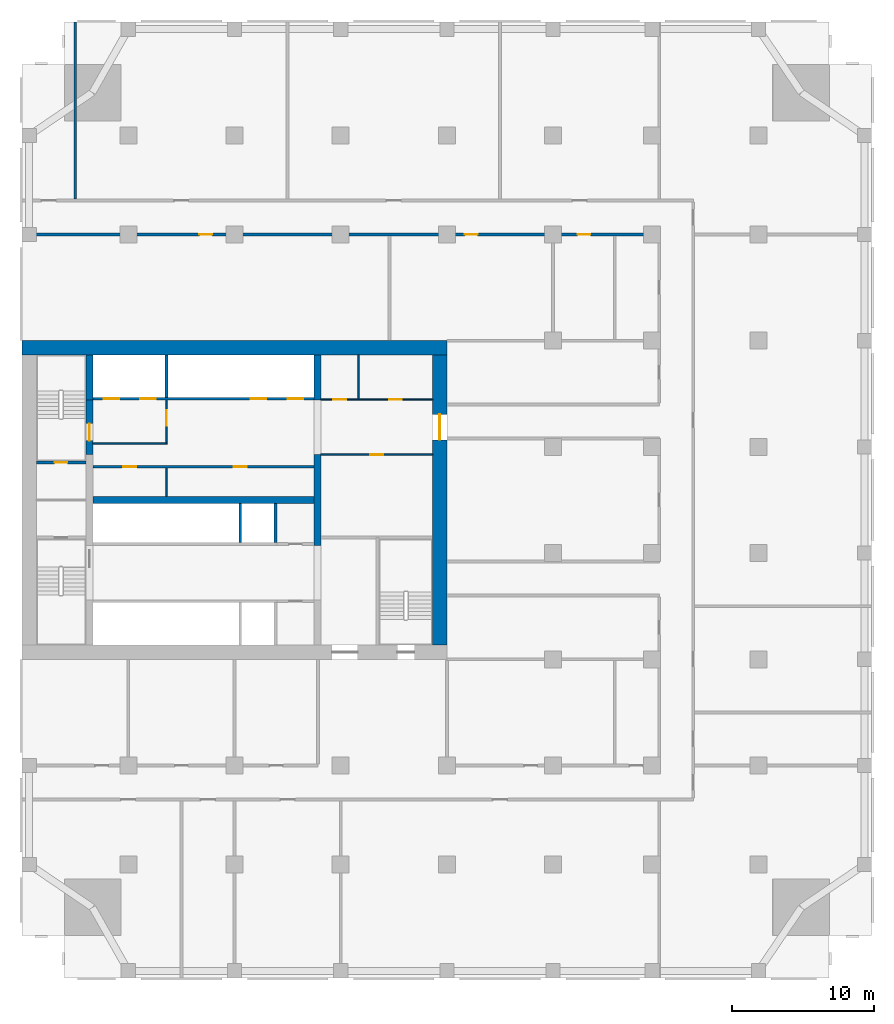
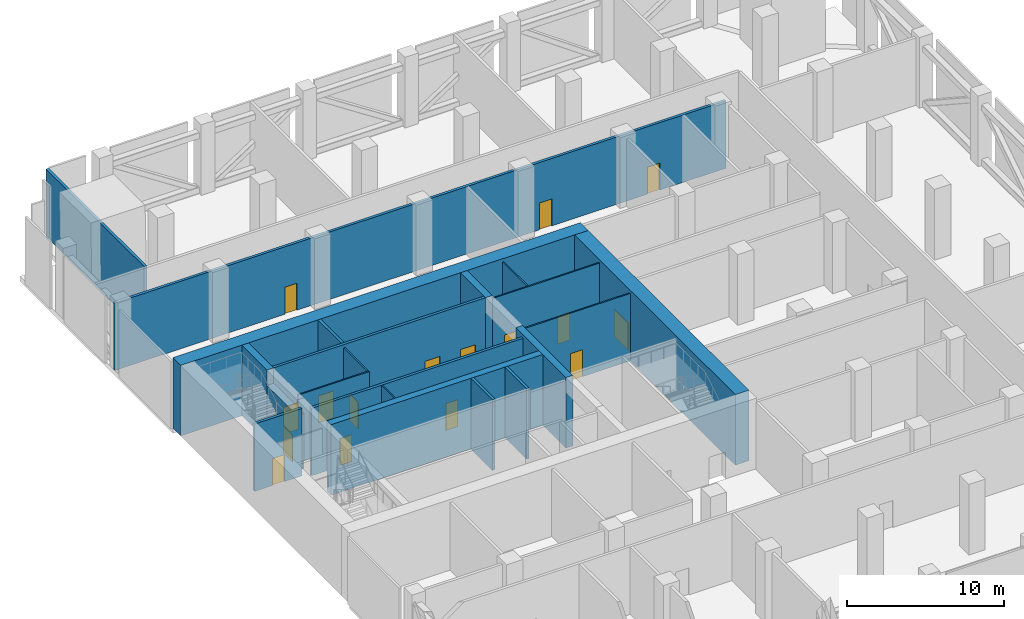
# One storey, part 4 of 10: 21 walls, 16 doors, 16 openings.
"""IFC4 building model written with IfcOpenShell, lengths in metres."""

import ifcopenshell
import ifcopenshell.guid

model = None  # the IFC model being written
_history = None  # IfcOwnerHistory: only IFC2X3 demands one
_inside = {}  # id of a spatial element -> (the spatial element, [elements in it])
_under = {}  # id of a project, library or spatial element -> (it, [spatial elements below it])
_declared = {}  # id of a project -> (the project, [libraries it declares])
_typed = {}  # id of a type object -> (the type object, [elements of that type])
_made_of = {}  # id of a material, layer set ... -> (it, [elements and type objects made of it])


def new_model(schema):
    """Start an empty IFC model of exactly this schema.

    Asked for "IFC4X3", IfcOpenShell would pick the latest addendum, in which some entities
    have other attributes; the version numbers below select the first issue.
    IFC2X3 requires an IfcOwnerHistory on every rooted entity: one is made here for all.
    """
    global model, _history
    if schema == "IFC4X3":
        model = ifcopenshell.file(schema_version=(4, 3, 0, 0))
    else:
        model = ifcopenshell.file(schema=schema)
    _inside.clear()
    _under.clear()
    _declared.clear()
    _typed.clear()
    _made_of.clear()
    _history = None
    if model.schema == "IFC2X3":
        org = make("IfcOrganization", Name="unknown")
        user = make(
            "IfcPersonAndOrganization",
            ThePerson=make("IfcPerson", FamilyName="unknown"),
            TheOrganization=org,
        )
        app = make(
            "IfcApplication",
            ApplicationDeveloper=org,
            Version="unknown",
            ApplicationFullName="unknown",
            ApplicationIdentifier="unknown",
        )
        _history = make(
            "IfcOwnerHistory",
            OwningUser=user,
            OwningApplication=app,
            ChangeAction="ADDED",
            CreationDate=0,
        )
    return model


def make(cls, **values):
    """One entity of the class cls with the attributes given. An attribute that is None is left unset."""
    return model.create_entity(
        cls, **{name: value for name, value in values.items() if value is not None}
    )


def rooted(cls, **values):
    """An entity with a GlobalId (a new one), such as an element, a storey or a relation."""
    return make(cls, GlobalId=ifcopenshell.guid.new(), OwnerHistory=_history, **values)


def si_unit(unit_type, name, prefix=None):
    """IfcSIUnit, for example si_unit("LENGTHUNIT", "METRE", prefix="MILLI")."""
    return make("IfcSIUnit", UnitType=unit_type, Prefix=prefix, Name=name)


def assignment(units):
    """IfcUnitAssignment: the units of a project."""
    return None if units is None else make("IfcUnitAssignment", Units=units)


def point(xyz):
    """IfcCartesianPoint."""
    return None if xyz is None else make("IfcCartesianPoint", Coordinates=xyz)


def direction(xyz):
    """IfcDirection."""
    return None if xyz is None else make("IfcDirection", DirectionRatios=xyz)


def frame(location, z_axis=None, x_axis=None):
    """IfcAxis2Placement3D, a coordinate frame: its origin and axes. An axis left out is left unset."""
    return make(
        "IfcAxis2Placement3D",
        Location=point(location),
        Axis=direction(z_axis),
        RefDirection=direction(x_axis),
    )


def frame_2d(location, x_axis=None):
    """IfcAxis2Placement2D, a coordinate frame in the plane: its origin and x axis."""
    return make(
        "IfcAxis2Placement2D", Location=point(location), RefDirection=direction(x_axis)
    )


def origin():
    """The frame at (0, 0, 0) with its axes left unset."""
    return frame((0.0, 0.0, 0.0))


def place(relative_to, where):
    """IfcLocalPlacement: puts the frame where relative to a parent placement (None: the world)."""
    return make(
        "IfcLocalPlacement", PlacementRelTo=relative_to, RelativePlacement=where
    )


def context(
    kind, dimensions, precision=None, world=None, true_north=None, identifier=None
):
    """IfcGeometricRepresentationContext, for example the 3D "Model" context."""
    return make(
        "IfcGeometricRepresentationContext",
        ContextIdentifier=identifier,
        ContextType=kind,
        CoordinateSpaceDimension=dimensions,
        Precision=precision,
        WorldCoordinateSystem=world,
        TrueNorth=true_north,
    )


def subcontext(parent, identifier, kind, view, scale=None):
    """IfcGeometricRepresentationSubContext, for example "Body" below "Model"."""
    return make(
        "IfcGeometricRepresentationSubContext",
        ContextIdentifier=identifier,
        ContextType=kind,
        ParentContext=parent,
        TargetScale=scale,
        TargetView=view,
    )


def project(units=None, contexts=None):
    """IfcProject with its units and contexts."""
    return rooted(
        "IfcProject",
        Name="project",
        RepresentationContexts=contexts,
        UnitsInContext=assignment(units),
    )


def spatial(cls, under=None, at=None, **own):
    """A site, building, storey or space (cls), placed at a placement, below another one or the project."""
    s = rooted(cls, ObjectPlacement=at, **own)
    if under is not None:
        _under.setdefault(under.id(), (under, []))[1].append(s)
    return s


def profile(cls, at=None, kind="AREA", **sizes):
    """A parametric profile (cls). Its sizes go by their IFC names, for example OverallWidth=200.0."""
    return make(cls, ProfileType=kind, Position=at, **sizes)


def rectangle(**sizes):
    """IfcRectangleProfileDef."""
    return profile("IfcRectangleProfileDef", **sizes)


def extrude(swept, where, along, depth):
    """IfcExtrudedAreaSolid: the profile swept, set in the frame where, extruded along a direction by depth."""
    return make(
        "IfcExtrudedAreaSolid",
        SweptArea=swept,
        Position=where,
        ExtrudedDirection=direction(along),
        Depth=depth,
    )


def shape(context_of_items, identifier, shape_type, items):
    """IfcShapeRepresentation: the items that make up one representation, for example the "Body"."""
    return make(
        "IfcShapeRepresentation",
        ContextOfItems=context_of_items,
        RepresentationIdentifier=identifier,
        RepresentationType=shape_type,
        Items=items,
    )


def material(Name=None, Category=None):
    """IfcMaterial."""
    return make("IfcMaterial", Name=Name, Category=Category)


def layer(
    of_material, thickness, ventilated=None, Name=None, Category=None, Priority=None
):
    """IfcMaterialLayer: one layer of a wall or slab, of a material (None: an air gap)."""
    return make(
        "IfcMaterialLayer",
        Material=of_material,
        LayerThickness=thickness,
        IsVentilated=ventilated,
        Name=Name,
        Category=Category,
        Priority=Priority,
    )


def layer_set(layers, Name=None):
    """IfcMaterialLayerSet."""
    return make("IfcMaterialLayerSet", MaterialLayers=layers, LayerSetName=Name)


def made_of(thing, what):
    """Note that an element or type object is made of a material, layer set ...; save() writes the relation."""
    if what is not None:
        _made_of.setdefault(what.id(), (what, []))[1].append(thing)
    return thing


def type_object(cls, material=None, **own):
    """A type object (cls), such as IfcWallType, which elements share."""
    return made_of(rooted(cls, **own), material)


def element(
    cls,
    number,
    at=None,
    inside=None,
    cuts=None,
    type_object=None,
    material=None,
    context=None,
    identifier="Body",
    shape_type=None,
    held_by="IfcProductDefinitionShape",
    body=None,
    shapes=None,
    **own,
):
    """One element of the class cls, such as IfcWall. Its Tag is "e" and its number.

    at: its placement. inside: the storey or other place that contains it. cuts: it is an
    opening in that element (IfcRelVoidsElement). A single representation is given by context,
    identifier, shape_type and body (its items); several are given by shapes. held_by: the class
    of the entity that holds the representations. save() writes the other relations.
    """
    e = rooted(cls, Tag="e%d" % number, ObjectPlacement=at, **own)
    if body is not None:
        shapes = [shape(context, identifier, shape_type, body)]
    if shapes is not None:
        e.Representation = make(held_by, Representations=shapes)
    if inside is not None:
        _inside.setdefault(inside.id(), (inside, []))[1].append(e)
    if cuts is not None:
        rooted(
            "IfcRelVoidsElement", RelatingBuildingElement=cuts, RelatedOpeningElement=e
        )
    if type_object is not None:
        _typed.setdefault(type_object.id(), (type_object, []))[1].append(e)
    return made_of(e, material)


def fill(opening, filler):
    """IfcRelFillsElement: the door or window that sits in an opening."""
    return rooted(
        "IfcRelFillsElement",
        RelatingOpeningElement=opening,
        RelatedBuildingElement=filler,
    )


def aggregate(whole, parts):
    """IfcRelAggregates: a whole, such as a stair, and the parts it consists of."""
    return rooted("IfcRelAggregates", RelatingObject=whole, RelatedObjects=parts)


def save(model, path):
    """Write the relations noted so far, then the file.

    IfcRelAggregates (storeys below a building ...), IfcRelContainedInSpatialStructure (elements
    in a storey), IfcRelDefinesByType, IfcRelAssociatesMaterial and IfcRelDeclares: one each for
    every whole, place, type object, material and project.
    """
    for whole, parts in _under.values():
        aggregate(whole, parts)
    for where, things in _inside.values():
        rooted(
            "IfcRelContainedInSpatialStructure",
            RelatedElements=things,
            RelatingStructure=where,
        )
    for kind, things in _typed.values():
        rooted("IfcRelDefinesByType", RelatedObjects=things, RelatingType=kind)
    for what, things in _made_of.values():
        rooted("IfcRelAssociatesMaterial", RelatedObjects=things, RelatingMaterial=what)
    for by, libraries in _declared.values():
        rooted("IfcRelDeclares", RelatingContext=by, RelatedDefinitions=libraries)
    model.write(path)


model = new_model("IFC4")

# Units and contexts
model_context = context("Model", 3, precision=1e-05, world=origin(), true_north=direction((0.0, 1.0)))
body_context = subcontext(model_context, "Body", "Model", "MODEL_VIEW")
ifc_project = project(units=[si_unit("LENGTHUNIT", "METRE"), si_unit("AREAUNIT", "SQUARE_METRE"), si_unit("VOLUMEUNIT", "CUBIC_METRE"), si_unit("PLANEANGLEUNIT", "RADIAN"), si_unit("MASSUNIT", "GRAM", prefix="KILO")], contexts=[model_context])

# Site, building, storey
site_placement = place(None, origin())
site = spatial("IfcSite", under=ifc_project, at=site_placement, CompositionType="ELEMENT")
building_placement = place(site_placement, origin())
building = spatial("IfcBuilding", under=site, at=building_placement, Name="Tamorin Gate", CompositionType="ELEMENT")
storey_placement = place(building_placement, frame((0.0, 0.0, 73.60009765625)))
storey = spatial("IfcBuildingStorey", under=building, at=storey_placement, Name="L17", CompositionType="ELEMENT", Elevation=73.60009765625)

# Wall, openings, doors
ifc_material_1 = material(Name="Concrete C32/40", Category="concrete")
ifc_layer_1 = layer(ifc_material_1, 0.199951171875)
ifc_layer_set_1 = layer_set([ifc_layer_1], Name="Lift lobby face wall 200 EI 120")
wall_type_1 = type_object("IfcWallType", Name="Lift lobby face wall 200 EI 120", PredefinedType="SOLIDWALL", material=ifc_layer_set_1)
wall_1_placement = place(storey_placement, frame((35.0, 78.39990234375, 0.0), z_axis=(0.0, 0.0, 1.0), x_axis=(1.0, 0.0, 0.0)))
wall_1 = element("IfcWall", 1, at=wall_1_placement, inside=storey, type_object=wall_type_1, Name="Lift lobby face wall", PredefinedType="SOLIDWALL", context=body_context, shape_type="SweptSolid", body=[
    extrude(rectangle(XDim=15.60009765625, YDim=0.199951171875, at=frame_2d((7.800048828125, 0.0))), origin(), (0.0, 0.0, 1.0), 5.5),
])
opening_1_placement = place(wall_1_placement, frame((0.75, 0.0, 0.0)))
opening_1 = element("IfcOpeningElement", 2, at=opening_1_placement, cuts=wall_1, Name="Opening LD17", PredefinedType="OPENING", context=body_context, shape_type="SweptSolid", body=[
    extrude(rectangle(XDim=1.10009765625, YDim=2.10009765625, at=frame_2d((0.550048828125, 1.050048828125))), frame((0.0, 0.10986328125, 0.0), z_axis=(0.0, -1.0, 0.0), x_axis=(1.0, 0.0, 0.0)), (0.0, 0.0, 1.0), 0.219970703125),
])
opening_2_placement = place(wall_1_placement, frame((3.35009765625, 0.0, 0.0)))
opening_2 = element("IfcOpeningElement", 3, at=opening_2_placement, cuts=wall_1, Name="Opening LD18", PredefinedType="OPENING", context=body_context, shape_type="SweptSolid", body=[
    extrude(rectangle(XDim=1.10009765625, YDim=2.10009765625, at=frame_2d((0.550048828125, 1.050048828125))), frame((0.0, 0.10986328125, 0.0), z_axis=(0.0, -1.0, 0.0), x_axis=(1.0, 0.0, 0.0)), (0.0, 0.0, 1.0), 0.219970703125),
])
opening_3_placement = place(wall_1_placement, frame((11.14990234375, 0.0, 0.0)))
opening_3 = element("IfcOpeningElement", 4, at=opening_3_placement, cuts=wall_1, Name="Opening LD21", PredefinedType="OPENING", context=body_context, shape_type="SweptSolid", body=[
    extrude(rectangle(XDim=1.10009765625, YDim=2.10009765625, at=frame_2d((0.550048828125, 1.050048828125))), frame((0.0, 0.10986328125, 0.0), z_axis=(0.0, -1.0, 0.0), x_axis=(1.0, 0.0, 0.0)), (0.0, 0.0, 1.0), 0.219970703125),
])
opening_4_placement = place(wall_1_placement, frame((13.75, 0.0, 0.0)))
opening_4 = element("IfcOpeningElement", 5, at=opening_4_placement, cuts=wall_1, Name="Opening LD22", PredefinedType="OPENING", context=body_context, shape_type="SweptSolid", body=[
    extrude(rectangle(XDim=1.10009765625, YDim=2.10009765625, at=frame_2d((0.550048828125, 1.050048828125))), frame((0.0, 0.10986328125, 0.0), z_axis=(0.0, -1.0, 0.0), x_axis=(1.0, 0.0, 0.0)), (0.0, 0.0, 1.0), 0.219970703125),
])
ifc_material_2 = material(Name="Stainless steel sliding door", Category="steel")
door_type_1 = type_object("IfcDoorType", Name="Lift landing door 1100 x 2100 E 90", OperationType="DOUBLE_DOOR_SLIDING", PredefinedType="DOOR", material=ifc_material_2)
door_1_placement = place(opening_1_placement, origin())
door_1 = element("IfcDoor", 6, at=door_1_placement, inside=storey, type_object=door_type_1, Name="FF1 landing door", OperationType="DOUBLE_DOOR_SLIDING", OverallHeight=2.10009765625, OverallWidth=1.10009765625, PredefinedType="DOOR", context=body_context, shape_type="SweptSolid", body=[
    extrude(rectangle(XDim=1.10009765625, YDim=2.10009765625, at=frame_2d((0.550048828125, 1.050048828125))), frame((0.0, 0.02490234375, 0.0), z_axis=(0.0, -1.0, 0.0), x_axis=(1.0, 0.0, 0.0)), (0.0, 0.0, 1.0), 0.050048828125),
])
fill(opening_1, door_1)
door_2_placement = place(opening_2_placement, origin())
door_2 = element("IfcDoor", 7, at=door_2_placement, inside=storey, type_object=door_type_1, Name="FF2 landing door", OperationType="DOUBLE_DOOR_SLIDING", OverallHeight=2.10009765625, OverallWidth=1.10009765625, PredefinedType="DOOR", context=body_context, shape_type="SweptSolid", body=[
    extrude(rectangle(XDim=1.10009765625, YDim=2.10009765625, at=frame_2d((0.550048828125, 1.050048828125))), frame((0.0, 0.02490234375, 0.0), z_axis=(0.0, -1.0, 0.0), x_axis=(1.0, 0.0, 0.0)), (0.0, 0.0, 1.0), 0.050048828125),
])
fill(opening_2, door_2)
door_3_placement = place(opening_3_placement, origin())
door_3 = element("IfcDoor", 8, at=door_3_placement, inside=storey, type_object=door_type_1, Name="SV1 landing door", OperationType="DOUBLE_DOOR_SLIDING", OverallHeight=2.10009765625, OverallWidth=1.10009765625, PredefinedType="DOOR", context=body_context, shape_type="SweptSolid", body=[
    extrude(rectangle(XDim=1.10009765625, YDim=2.10009765625, at=frame_2d((0.550048828125, 1.050048828125))), frame((0.0, 0.02490234375, 0.0), z_axis=(0.0, -1.0, 0.0), x_axis=(1.0, 0.0, 0.0)), (0.0, 0.0, 1.0), 0.050048828125),
])
fill(opening_3, door_3)
door_4_placement = place(opening_4_placement, origin())
door_4 = element("IfcDoor", 9, at=door_4_placement, inside=storey, type_object=door_type_1, Name="SV2 landing door", OperationType="DOUBLE_DOOR_SLIDING", OverallHeight=2.10009765625, OverallWidth=1.10009765625, PredefinedType="DOOR", context=body_context, shape_type="SweptSolid", body=[
    extrude(rectangle(XDim=1.10009765625, YDim=2.10009765625, at=frame_2d((0.550048828125, 1.050048828125))), frame((0.0, 0.02490234375, 0.0), z_axis=(0.0, -1.0, 0.0), x_axis=(1.0, 0.0, 0.0)), (0.0, 0.0, 1.0), 0.050048828125),
])
fill(opening_4, door_4)

# Walls
ifc_layer_2 = layer(ifc_material_1, 0.199951171875)
ifc_layer_set_2 = layer_set([ifc_layer_2], Name="Lift shaft wall 200 EI 120")
wall_type_2 = type_object("IfcWallType", Name="Lift shaft wall 200 EI 120", PredefinedType="SOLIDWALL", material=ifc_layer_set_2)
for number, where, z_axis, x_axis, name in (
    (10, (45.39990234375, 68.25, 0.0), (0.0, 0.0, 1.0), (0.0, 1.0, 0.0), "Lift shaft wall"),
    (11, (47.89990234375, 68.25, 0.0), (0.0, 0.0, 1.0), (0.0, 1.0, 0.0), "Lift shaft wall"),
):
    element("IfcWall", number, at=place(storey_placement, frame(where, z_axis=z_axis, x_axis=x_axis)), inside=storey, type_object=wall_type_2, Name=name, PredefinedType="SOLIDWALL", context=body_context, shape_type="SweptSolid", body=[
        extrude(rectangle(XDim=2.75, YDim=0.199951171875, at=frame_2d((1.375, 0.0))), origin(), (0.0, 0.0, 1.0), 5.5),
    ])
wall_2_placement = place(storey_placement, frame((40.199951171875, 78.5, 0.0), z_axis=(0.0, 0.0, 1.0), x_axis=(0.0, 1.0, 0.0)))
element("IfcWall", 12, at=wall_2_placement, inside=storey, type_object=wall_type_2, Name="Lift shaft wall", PredefinedType="SOLIDWALL", context=body_context, shape_type="SweptSolid", body=[
    extrude(rectangle(XDim=3.0, YDim=0.199951171875, at=frame_2d((1.5, 0.0))), origin(), (0.0, 0.0, 1.0), 5.5),
])
ifc_material_3 = material(Name="Fire-rated gypsum board partition")
ifc_layer_3 = layer(ifc_material_3, 0.10009765625)
ifc_layer_set_3 = layer_set([ifc_layer_3], Name="Lobby wall 100 EI 60")
wall_type_3 = type_object("IfcWallType", Name="Lobby wall 100 EI 60", PredefinedType="PARTITIONING", material=ifc_layer_set_3)
wall_3_placement = place(storey_placement, frame((35.0, 75.25, 0.0), z_axis=(0.0, 0.0, 1.0), x_axis=(1.0, 0.0, 0.0)))
element("IfcWall", 13, at=wall_3_placement, inside=storey, type_object=wall_type_3, Name="Firefighting lobby wall", PredefinedType="PARTITIONING", context=body_context, shape_type="SweptSolid", body=[
    extrude(rectangle(XDim=5.25, YDim=0.10009765625, at=frame_2d((2.625, 0.0))), origin(), (0.0, 0.0, 1.0), 5.25),
])

# Wall, opening, door
wall_4_placement = place(storey_placement, frame((40.199951171875, 75.300048828125, 0.0), z_axis=(0.0, 0.0, 1.0), x_axis=(0.0, 1.0, 0.0)))
wall_4 = element("IfcWall", 14, at=wall_4_placement, inside=storey, type_object=wall_type_3, Name="Firefighting lobby wall", PredefinedType="PARTITIONING", context=body_context, shape_type="SweptSolid", body=[
    extrude(rectangle(XDim=3.0, YDim=0.10009765625, at=frame_2d((1.5, 0.0))), origin(), (0.0, 0.0, 1.0), 5.25),
])
opening_5_placement = place(wall_4_placement, frame((1.199951171875, 0.0, 0.0)))
opening_5 = element("IfcOpeningElement", 15, at=opening_5_placement, cuts=wall_4, Name="Opening DF1", PredefinedType="OPENING", context=body_context, shape_type="SweptSolid", body=[
    extrude(rectangle(XDim=1.10009765625, YDim=2.10009765625, at=frame_2d((0.550048828125, 1.050048828125))), frame((0.0, 0.06005859375, 0.0), z_axis=(0.0, -1.0, 0.0), x_axis=(1.0, 0.0, 0.0)), (0.0, 0.0, 1.0), 0.1201171875),
])
ifc_material_4 = material(Name="Steel fire door", Category="steel")
door_type_2 = type_object("IfcDoorType", Name="Firefighting lobby door 1100 x 2100 EI 90", OperationType="SINGLE_SWING_LEFT", PredefinedType="DOOR", material=ifc_material_4)
door_5_placement = place(opening_5_placement, origin())
door_5 = element("IfcDoor", 16, at=door_5_placement, inside=storey, type_object=door_type_2, Name="Firefighting lobby door", OperationType="SINGLE_SWING_LEFT", OverallHeight=2.10009765625, OverallWidth=1.10009765625, PredefinedType="DOOR", context=body_context, shape_type="SweptSolid", body=[
    extrude(rectangle(XDim=1.10009765625, YDim=2.10009765625, at=frame_2d((0.550048828125, 1.050048828125))), frame((0.0, 0.02490234375, 0.0), z_axis=(0.0, -1.0, 0.0), x_axis=(1.0, 0.0, 0.0)), (0.0, 0.0, 1.0), 0.050048828125),
])
fill(opening_5, door_5)

# Wall, openings, doors
ifc_material_5 = material(Name="Gypsum board partition")
ifc_layer_4 = layer(ifc_material_5, 0.199951171875)
ifc_layer_set_4 = layer_set([ifc_layer_4], Name="Plant and refuge wall 200")
wall_type_4 = type_object("IfcWallType", Name="Plant and refuge wall 200", PredefinedType="PARTITIONING", material=ifc_layer_set_4)
wall_5_placement = place(storey_placement, frame((30.0, 90.0, 0.0), z_axis=(0.0, 0.0, 1.0), x_axis=(1.0, 0.0, 0.0)))
wall_5 = element("IfcWall", 17, at=wall_5_placement, inside=storey, type_object=wall_type_4, Name="Plant and refuge wall 200", PredefinedType="PARTITIONING", context=body_context, shape_type="SweptSolid", body=[
    extrude(rectangle(XDim=45.0, YDim=0.199951171875, at=frame_2d((22.5, 0.0))), origin(), (0.0, 0.0, 1.0), 5.25),
])
opening_6_placement = place(wall_5_placement, frame((12.52490234375, 0.0, 0.0)))
opening_6 = element("IfcOpeningElement", 18, at=opening_6_placement, cuts=wall_5, Name="Opening DPL1019", PredefinedType="OPENING", context=body_context, shape_type="SweptSolid", body=[
    extrude(rectangle(XDim=0.89990234375, YDim=2.10009765625, at=frame_2d((0.449951171875, 1.050048828125))), frame((0.0, 0.10986328125, 0.0), z_axis=(0.0, -1.0, 0.0), x_axis=(1.0, 0.0, 0.0)), (0.0, 0.0, 1.0), 0.219970703125),
])
opening_7_placement = place(wall_5_placement, frame((31.27490234375, 0.0, 0.0)))
opening_7 = element("IfcOpeningElement", 19, at=opening_7_placement, cuts=wall_5, Name="Opening DPL1020", PredefinedType="OPENING", context=body_context, shape_type="SweptSolid", body=[
    extrude(rectangle(XDim=0.89990234375, YDim=2.10009765625, at=frame_2d((0.449951171875, 1.050048828125))), frame((0.0, 0.10986328125, 0.0), z_axis=(0.0, -1.0, 0.0), x_axis=(1.0, 0.0, 0.0)), (0.0, 0.0, 1.0), 0.219970703125),
])
opening_8_placement = place(wall_5_placement, frame((39.22509765625, 0.0, 0.0)))
opening_8 = element("IfcOpeningElement", 20, at=opening_8_placement, cuts=wall_5, Name="Opening DPL1021", PredefinedType="OPENING", context=body_context, shape_type="SweptSolid", body=[
    extrude(rectangle(XDim=0.89990234375, YDim=2.10009765625, at=frame_2d((0.449951171875, 1.050048828125))), frame((0.0, 0.10986328125, 0.0), z_axis=(0.0, -1.0, 0.0), x_axis=(1.0, 0.0, 0.0)), (0.0, 0.0, 1.0), 0.219970703125),
])
ifc_material_6 = material(Name="Timber door leaf", Category="wood")
door_type_3 = type_object("IfcDoorType", Name="Door 900 x 2100 FD30S", OperationType="NOTDEFINED", PredefinedType="DOOR", material=ifc_material_6)
door_6_placement = place(opening_7_placement, origin())
door_6 = element("IfcDoor", 21, at=door_6_placement, inside=storey, type_object=door_type_3, Name="Door DPL1020", OperationType="SINGLE_SWING_LEFT", OverallHeight=2.10009765625, OverallWidth=0.89990234375, PredefinedType="DOOR", context=body_context, shape_type="SweptSolid", body=[
    extrude(rectangle(XDim=0.89990234375, YDim=2.10009765625, at=frame_2d((0.449951171875, 1.050048828125))), frame((0.0, 0.02490234375, 0.0), z_axis=(0.0, -1.0, 0.0), x_axis=(1.0, 0.0, 0.0)), (0.0, 0.0, 1.0), 0.050048828125),
])
fill(opening_7, door_6)
door_type_4 = type_object("IfcDoorType", Name="Door 900 x 2100 FD60", OperationType="NOTDEFINED", PredefinedType="DOOR", material=ifc_material_6)
door_7_placement = place(opening_6_placement, origin())
door_7 = element("IfcDoor", 22, at=door_7_placement, inside=storey, type_object=door_type_4, Name="Door DPL1019", OperationType="SINGLE_SWING_RIGHT", OverallHeight=2.10009765625, OverallWidth=0.89990234375, PredefinedType="DOOR", context=body_context, shape_type="SweptSolid", body=[
    extrude(rectangle(XDim=0.89990234375, YDim=2.10009765625, at=frame_2d((0.449951171875, 1.050048828125))), frame((0.0, 0.02490234375, 0.0), z_axis=(0.0, -1.0, 0.0), x_axis=(1.0, 0.0, 0.0)), (0.0, 0.0, 1.0), 0.050048828125),
])
fill(opening_6, door_7)
door_8_placement = place(opening_8_placement, origin())
door_8 = element("IfcDoor", 23, at=door_8_placement, inside=storey, type_object=door_type_4, Name="Door DPL1021", OperationType="SINGLE_SWING_RIGHT", OverallHeight=2.10009765625, OverallWidth=0.89990234375, PredefinedType="DOOR", context=body_context, shape_type="SweptSolid", body=[
    extrude(rectangle(XDim=0.89990234375, YDim=2.10009765625, at=frame_2d((0.449951171875, 1.050048828125))), frame((0.0, 0.02490234375, 0.0), z_axis=(0.0, -1.0, 0.0), x_axis=(1.0, 0.0, 0.0)), (0.0, 0.0, 1.0), 0.050048828125),
])
fill(opening_8, door_8)

# Walls
wall_6_placement = place(storey_placement, frame((33.75, 92.5, 0.0), z_axis=(0.0, 0.0, 1.0), x_axis=(0.0, 1.0, 0.0)))
element("IfcWall", 24, at=wall_6_placement, inside=storey, type_object=wall_type_4, Name="Plant and refuge wall 200", PredefinedType="PARTITIONING", context=body_context, shape_type="SweptSolid", body=[
    extrude(rectangle(XDim=12.5, YDim=0.199951171875, at=frame_2d((6.25, 0.0))), origin(), (0.0, 0.0, 1.0), 5.25),
])
ifc_material_7 = material(Name="Concrete C80/95", Category="concrete")
ifc_layer_5 = layer(ifc_material_7, 0.5)
ifc_layer_set_5 = layer_set([ifc_layer_5], Name="RC core internal wall 500 C80/95")
wall_type_5 = type_object("IfcWallType", Name="RC core internal wall 500 C80/95", PredefinedType="SHEAR", material=ifc_layer_set_5)
wall_7_placement = place(storey_placement, frame((35.0, 71.25, 0.0), z_axis=(0.0, 0.0, 1.0), x_axis=(1.0, 0.0, 0.0)))
element("IfcWall", 25, at=wall_7_placement, inside=storey, type_object=wall_type_5, Name="Core spine wall L17", PredefinedType="SHEAR", context=body_context, shape_type="SweptSolid", body=[
    extrude(rectangle(XDim=15.60009765625, YDim=0.5, at=frame_2d((7.800048828125, 0.0))), origin(), (0.0, 0.0, 1.0), 5.5),
])
wall_8_placement = place(storey_placement, frame((34.75, 78.300048828125, 0.0), z_axis=(0.0, 0.0, 1.0), x_axis=(0.0, 1.0, 0.0)))
element("IfcWall", 26, at=wall_8_placement, inside=storey, type_object=wall_type_5, Name="Core cross wall L17", PredefinedType="SHEAR", context=body_context, shape_type="SweptSolid", body=[
    extrude(rectangle(XDim=3.199951171875, YDim=0.5, at=frame_2d((1.60009765625, 0.0))), origin(), (0.0, 0.0, 1.0), 5.5),
])
wall_9_placement = place(storey_placement, frame((50.85009765625, 68.050048828125, 0.0), z_axis=(0.0, 0.0, 1.0), x_axis=(0.0, 1.0, 0.0)))
element("IfcWall", 27, at=wall_9_placement, inside=storey, type_object=wall_type_5, Name="Core cross wall L17", PredefinedType="SHEAR", context=body_context, shape_type="SweptSolid", body=[
    extrude(rectangle(XDim=6.39990234375, YDim=0.5, at=frame_2d((3.199951171875, 0.0))), origin(), (0.0, 0.0, 1.0), 5.5),
])
wall_10_placement = place(storey_placement, frame((50.85009765625, 78.300048828125, 0.0), z_axis=(0.0, 0.0, 1.0), x_axis=(0.0, 1.0, 0.0)))
element("IfcWall", 28, at=wall_10_placement, inside=storey, type_object=wall_type_5, Name="Core cross wall L17", PredefinedType="SHEAR", context=body_context, shape_type="SweptSolid", body=[
    extrude(rectangle(XDim=3.199951171875, YDim=0.5, at=frame_2d((1.60009765625, 0.0))), origin(), (0.0, 0.0, 1.0), 5.5),
])
ifc_layer_6 = layer(ifc_material_7, 1.0)
ifc_layer_set_6 = layer_set([ifc_layer_6], Name="RC core wall 1000 C80/95")
wall_type_6 = type_object("IfcWallType", Name="RC core wall 1000 C80/95", PredefinedType="SHEAR", material=ifc_layer_set_6)
wall_11_placement = place(storey_placement, frame((30.0, 82.0, 0.0), z_axis=(0.0, 0.0, 1.0), x_axis=(1.0, 0.0, 0.0)))
element("IfcWall", 29, at=wall_11_placement, inside=storey, type_object=wall_type_6, Name="Core wall L17", PredefinedType="SHEAR", context=body_context, shape_type="SweptSolid", body=[
    extrude(rectangle(XDim=30.0, YDim=1.0, at=frame_2d((15.0, 0.0))), origin(), (0.0, 0.0, 1.0), 5.5),
])

# Wall, opening, door
wall_12_placement = place(storey_placement, frame((59.5, 61.0, 0.0), z_axis=(0.0, 0.0, 1.0), x_axis=(0.0, 1.0, 0.0)))
wall_12 = element("IfcWall", 30, at=wall_12_placement, inside=storey, type_object=wall_type_6, Name="Core wall L17", PredefinedType="SHEAR", context=body_context, shape_type="SweptSolid", body=[
    extrude(rectangle(XDim=20.5, YDim=1.0, at=frame_2d((10.25, 0.0))), origin(), (0.0, 0.0, 1.0), 5.5),
])
opening_9_placement = place(wall_12_placement, frame((14.5, 0.0, 0.0)))
opening_9 = element("IfcOpeningElement", 31, at=opening_9_placement, cuts=wall_12, Name="Opening DE1", PredefinedType="OPENING", context=body_context, shape_type="SweptSolid", body=[
    extrude(rectangle(XDim=1.800048828125, YDim=2.10009765625, at=frame_2d((0.89990234375, 1.050048828125))), frame((0.0, 0.510009765625, 0.0), z_axis=(0.0, -1.0, 0.0), x_axis=(1.0, 0.0, 0.0)), (0.0, 0.0, 1.0), 1.02001953125),
])
door_type_5 = type_object("IfcDoorType", Name="Lobby exit double door 1800 x 2100 EI 60", OperationType="DOUBLE_DOOR_SINGLE_SWING", PredefinedType="DOOR", material=ifc_material_4)
door_9_placement = place(opening_9_placement, origin())
door_9 = element("IfcDoor", 32, at=door_9_placement, inside=storey, type_object=door_type_5, Name="Lift lobby B exit door", OperationType="DOUBLE_DOOR_SINGLE_SWING", OverallHeight=2.10009765625, OverallWidth=1.800048828125, PredefinedType="DOOR", context=body_context, shape_type="SweptSolid", body=[
    extrude(rectangle(XDim=1.800048828125, YDim=2.10009765625, at=frame_2d((0.89990234375, 1.050048828125))), frame((0.0, 0.02490234375, 0.0), z_axis=(0.0, -1.0, 0.0), x_axis=(1.0, 0.0, 0.0)), (0.0, 0.0, 1.0), 0.050048828125),
])
fill(opening_9, door_9)

# Wall, openings, doors
ifc_layer_7 = layer(ifc_material_5, 0.199951171875)
ifc_layer_set_7 = layer_set([ifc_layer_7], Name="Service room face wall 200 EI 60")
wall_type_7 = type_object("IfcWallType", Name="Service room face wall 200 EI 60", PredefinedType="PARTITIONING", material=ifc_layer_set_7)
wall_13_placement = place(storey_placement, frame((35.0, 73.60009765625, 0.0), z_axis=(0.0, 0.0, 1.0), x_axis=(1.0, 0.0, 0.0)))
wall_13 = element("IfcWall", 33, at=wall_13_placement, inside=storey, type_object=wall_type_7, Name="Service room face wall", PredefinedType="PARTITIONING", context=body_context, shape_type="SweptSolid", body=[
    extrude(rectangle(XDim=15.60009765625, YDim=0.199951171875, at=frame_2d((7.800048828125, 0.0))), origin(), (0.0, 0.0, 1.0), 5.25),
])
opening_10_placement = place(wall_13_placement, frame((2.14990234375, 0.0, 0.0)))
opening_10 = element("IfcOpeningElement", 34, at=opening_10_placement, cuts=wall_13, Name="Opening DK1", PredefinedType="OPENING", context=body_context, shape_type="SweptSolid", body=[
    extrude(rectangle(XDim=0.89990234375, YDim=2.10009765625, at=frame_2d((0.449951171875, 1.050048828125))), frame((0.0, 0.10986328125, 0.0), z_axis=(0.0, -1.0, 0.0), x_axis=(1.0, 0.0, 0.0)), (0.0, 0.0, 1.0), 0.219970703125),
])
opening_11_placement = place(wall_13_placement, frame((9.949951171875, 0.0, 0.0)))
opening_11 = element("IfcOpeningElement", 35, at=opening_11_placement, cuts=wall_13, Name="Opening DK1", PredefinedType="OPENING", context=body_context, shape_type="SweptSolid", body=[
    extrude(rectangle(XDim=0.89990234375, YDim=2.10009765625, at=frame_2d((0.449951171875, 1.050048828125))), frame((0.0, 0.10986328125, 0.0), z_axis=(0.0, -1.0, 0.0), x_axis=(1.0, 0.0, 0.0)), (0.0, 0.0, 1.0), 0.219970703125),
])
ifc_material_8 = material(Name="Timber fire door", Category="wood")
door_type_6 = type_object("IfcDoorType", Name="Service room door 900 x 2100 EI 60", OperationType="SINGLE_SWING_LEFT", PredefinedType="DOOR", material=ifc_material_8)
door_10_placement = place(opening_10_placement, origin())
door_10 = element("IfcDoor", 36, at=door_10_placement, inside=storey, type_object=door_type_6, Name="Door Plant store", OperationType="SINGLE_SWING_LEFT", OverallHeight=2.10009765625, OverallWidth=0.89990234375, PredefinedType="DOOR", context=body_context, shape_type="SweptSolid", body=[
    extrude(rectangle(XDim=0.89990234375, YDim=2.10009765625, at=frame_2d((0.449951171875, 1.050048828125))), frame((0.0, 0.02490234375, 0.0), z_axis=(0.0, -1.0, 0.0), x_axis=(1.0, 0.0, 0.0)), (0.0, 0.0, 1.0), 0.050048828125),
])
fill(opening_10, door_10)
door_11_placement = place(opening_11_placement, origin())
door_11 = element("IfcDoor", 37, at=door_11_placement, inside=storey, type_object=door_type_6, Name="Door Cooling riser room", OperationType="SINGLE_SWING_RIGHT", OverallHeight=2.10009765625, OverallWidth=0.89990234375, PredefinedType="DOOR", context=body_context, shape_type="SweptSolid", body=[
    extrude(rectangle(XDim=0.89990234375, YDim=2.10009765625, at=frame_2d((0.449951171875, 1.050048828125))), frame((0.0, 0.02490234375, 0.0), z_axis=(0.0, -1.0, 0.0), x_axis=(1.0, 0.0, 0.0)), (0.0, 0.0, 1.0), 0.050048828125),
])
fill(opening_11, door_11)

# Wall
ifc_layer_8 = layer(ifc_material_5, 0.10009765625)
ifc_layer_set_8 = layer_set([ifc_layer_8], Name="Service room partition 100 EI 60")
wall_type_8 = type_object("IfcWallType", Name="Service room partition 100 EI 60", PredefinedType="PARTITIONING", material=ifc_layer_set_8)
wall_14_placement = place(storey_placement, frame((40.199951171875, 71.5, 0.0), z_axis=(0.0, 0.0, 1.0), x_axis=(0.0, 1.0, 0.0)))
element("IfcWall", 38, at=wall_14_placement, inside=storey, type_object=wall_type_8, Name="Service room partition", PredefinedType="PARTITIONING", context=body_context, shape_type="SweptSolid", body=[
    extrude(rectangle(XDim=2.0, YDim=0.10009765625, at=frame_2d((1.0, 0.0))), origin(), (0.0, 0.0, 1.0), 5.25),
])

# Wall, opening, door
wall_15_placement = place(storey_placement, frame((51.10009765625, 74.449951171875, 0.0), z_axis=(0.0, 0.0, 1.0), x_axis=(1.0, 0.0, 0.0)))
wall_15 = element("IfcWall", 39, at=wall_15_placement, inside=storey, type_object=wall_type_8, Name="Service room wall", PredefinedType="PARTITIONING", context=body_context, shape_type="SweptSolid", body=[
    extrude(rectangle(XDim=7.89990234375, YDim=0.10009765625, at=frame_2d((3.949951171875, 0.0))), origin(), (0.0, 0.0, 1.0), 5.25),
])
opening_12_placement = place(wall_15_placement, frame((3.5, 0.0, 0.0)))
opening_12 = element("IfcOpeningElement", 40, at=opening_12_placement, cuts=wall_15, Name="Opening DR1", PredefinedType="OPENING", context=body_context, shape_type="SweptSolid", body=[
    extrude(rectangle(XDim=0.89990234375, YDim=2.10009765625, at=frame_2d((0.449951171875, 1.050048828125))), frame((0.0, 0.06005859375, 0.0), z_axis=(0.0, -1.0, 0.0), x_axis=(1.0, 0.0, 0.0)), (0.0, 0.0, 1.0), 0.1201171875),
])
door_type_7 = type_object("IfcDoorType", Name="Riser access door 900 x 2100 EI 120", OperationType="SINGLE_SWING_LEFT", PredefinedType="DOOR", material=ifc_material_4)
door_12_placement = place(opening_12_placement, origin())
door_12 = element("IfcDoor", 41, at=door_12_placement, inside=storey, type_object=door_type_7, Name="Duct riser door", OperationType="SINGLE_SWING_LEFT", OverallHeight=2.10009765625, OverallWidth=0.89990234375, PredefinedType="DOOR", context=body_context, shape_type="SweptSolid", body=[
    extrude(rectangle(XDim=0.89990234375, YDim=2.10009765625, at=frame_2d((0.449951171875, 1.050048828125))), frame((0.0, 0.02490234375, 0.0), z_axis=(0.0, -1.0, 0.0), x_axis=(1.0, 0.0, 0.0)), (0.0, 0.0, 1.0), 0.050048828125),
])
fill(opening_12, door_12)

# Wall, openings, doors
wall_16_placement = place(storey_placement, frame((51.10009765625, 78.35009765625, 0.0), z_axis=(0.0, 0.0, 1.0), x_axis=(1.0, 0.0, 0.0)))
wall_16 = element("IfcWall", 42, at=wall_16_placement, inside=storey, type_object=wall_type_8, Name="Service room wall", PredefinedType="PARTITIONING", context=body_context, shape_type="SweptSolid", body=[
    extrude(rectangle(XDim=7.89990234375, YDim=0.10009765625, at=frame_2d((3.949951171875, 0.0))), origin(), (0.0, 0.0, 1.0), 5.25),
])
opening_13_placement = place(wall_16_placement, frame((0.875, 0.0, 0.0)))
opening_13 = element("IfcOpeningElement", 43, at=opening_13_placement, cuts=wall_16, Name="Opening DK1", PredefinedType="OPENING", context=body_context, shape_type="SweptSolid", body=[
    extrude(rectangle(XDim=0.89990234375, YDim=2.10009765625, at=frame_2d((0.449951171875, 1.050048828125))), frame((0.0, 0.06005859375, 0.0), z_axis=(0.0, -1.0, 0.0), x_axis=(1.0, 0.0, 0.0)), (0.0, 0.0, 1.0), 0.1201171875),
])
opening_14_placement = place(wall_16_placement, frame((4.824951171875, 0.0, 0.0)))
opening_14 = element("IfcOpeningElement", 44, at=opening_14_placement, cuts=wall_16, Name="Opening DK1", PredefinedType="OPENING", context=body_context, shape_type="SweptSolid", body=[
    extrude(rectangle(XDim=0.89990234375, YDim=2.10009765625, at=frame_2d((0.449951171875, 1.050048828125))), frame((0.0, 0.06005859375, 0.0), z_axis=(0.0, -1.0, 0.0), x_axis=(1.0, 0.0, 0.0)), (0.0, 0.0, 1.0), 0.1201171875),
])
door_13_placement = place(opening_13_placement, origin())
door_13 = element("IfcDoor", 45, at=door_13_placement, inside=storey, type_object=door_type_6, Name="Door Electrical switch room", OperationType="SINGLE_SWING_LEFT", OverallHeight=2.10009765625, OverallWidth=0.89990234375, PredefinedType="DOOR", context=body_context, shape_type="SweptSolid", body=[
    extrude(rectangle(XDim=0.89990234375, YDim=2.10009765625, at=frame_2d((0.449951171875, 1.050048828125))), frame((0.0, 0.02490234375, 0.0), z_axis=(0.0, -1.0, 0.0), x_axis=(1.0, 0.0, 0.0)), (0.0, 0.0, 1.0), 0.050048828125),
])
fill(opening_13, door_13)
door_14_placement = place(opening_14_placement, origin())
door_14 = element("IfcDoor", 46, at=door_14_placement, inside=storey, type_object=door_type_6, Name="Door Fire pump room", OperationType="SINGLE_SWING_RIGHT", OverallHeight=2.10009765625, OverallWidth=0.89990234375, PredefinedType="DOOR", context=body_context, shape_type="SweptSolid", body=[
    extrude(rectangle(XDim=0.89990234375, YDim=2.10009765625, at=frame_2d((0.449951171875, 1.050048828125))), frame((0.0, 0.02490234375, 0.0), z_axis=(0.0, -1.0, 0.0), x_axis=(1.0, 0.0, 0.0)), (0.0, 0.0, 1.0), 0.050048828125),
])
fill(opening_14, door_14)

# Wall
wall_17_placement = place(storey_placement, frame((53.75, 78.39990234375, 0.0), z_axis=(0.0, 0.0, 1.0), x_axis=(0.0, 1.0, 0.0)))
element("IfcWall", 47, at=wall_17_placement, inside=storey, type_object=wall_type_8, Name="Service room partition", PredefinedType="PARTITIONING", context=body_context, shape_type="SweptSolid", body=[
    extrude(rectangle(XDim=3.10009765625, YDim=0.10009765625, at=frame_2d((1.550048828125, 0.0))), origin(), (0.0, 0.0, 1.0), 5.25),
])

# Wall, opening, door
ifc_material_9 = material(Name="Concrete C40/50", Category="concrete")
ifc_layer_9 = layer(ifc_material_9, 0.199951171875)
ifc_layer_set_9 = layer_set([ifc_layer_9], Name="Stair enclosure wall 200 EI 120 C40/50")
wall_type_9 = type_object("IfcWallType", Name="Stair enclosure wall 200 EI 120 C40/50", PredefinedType="SOLIDWALL", material=ifc_layer_set_9)
wall_18_placement = place(storey_placement, frame((31.0, 73.89990234375, 0.0), z_axis=(0.0, 0.0, 1.0), x_axis=(1.0, 0.0, 0.0)))
wall_18 = element("IfcWall", 48, at=wall_18_placement, inside=storey, type_object=wall_type_9, Name="Stair enclosure wall", PredefinedType="SOLIDWALL", context=body_context, shape_type="SweptSolid", body=[
    extrude(rectangle(XDim=3.5, YDim=0.199951171875, at=frame_2d((1.75, 0.0))), origin(), (0.0, 0.0, 1.0), 5.25),
])
opening_15_placement = place(wall_18_placement, frame((1.300048828125, 0.0, 0.0)))
opening_15 = element("IfcOpeningElement", 49, at=opening_15_placement, cuts=wall_18, Name="Opening DR1", PredefinedType="OPENING", context=body_context, shape_type="SweptSolid", body=[
    extrude(rectangle(XDim=0.89990234375, YDim=2.10009765625, at=frame_2d((0.449951171875, 1.050048828125))), frame((0.0, 0.10986328125, 0.0), z_axis=(0.0, -1.0, 0.0), x_axis=(1.0, 0.0, 0.0)), (0.0, 0.0, 1.0), 0.219970703125),
])
door_15_placement = place(opening_15_placement, origin())
door_15 = element("IfcDoor", 50, at=door_15_placement, inside=storey, type_object=door_type_7, Name="Communications riser door", OperationType="SINGLE_SWING_RIGHT", OverallHeight=2.10009765625, OverallWidth=0.89990234375, PredefinedType="DOOR", context=body_context, shape_type="SweptSolid", body=[
    extrude(rectangle(XDim=0.89990234375, YDim=2.10009765625, at=frame_2d((0.449951171875, 1.050048828125))), frame((0.0, 0.02490234375, 0.0), z_axis=(0.0, -1.0, 0.0), x_axis=(1.0, 0.0, 0.0)), (0.0, 0.0, 1.0), 0.050048828125),
])
fill(opening_15, door_15)

ifc_layer_10 = layer(ifc_material_1, 0.5)
ifc_layer_set_10 = layer_set([ifc_layer_10], Name="Stair lobby infill wall 500 EI 120")
wall_type_10 = type_object("IfcWallType", Name="Stair lobby infill wall 500 EI 120", PredefinedType="SOLIDWALL", material=ifc_layer_set_10)
wall_19_placement = place(storey_placement, frame((34.75, 74.449951171875, 0.0), z_axis=(0.0, 0.0, 1.0), x_axis=(0.0, 1.0, 0.0)))
wall_19 = element("IfcWall", 51, at=wall_19_placement, inside=storey, type_object=wall_type_10, Name="Stair lobby infill wall", PredefinedType="SOLIDWALL", context=body_context, shape_type="SweptSolid", body=[
    extrude(rectangle(XDim=3.85009765625, YDim=0.5, at=frame_2d((1.925048828125, 0.0))), origin(), (0.0, 0.0, 1.0), 4.2998046875),
])
opening_16_placement = place(wall_19_placement, frame((1.0, 0.0, 0.0)))
opening_16 = element("IfcOpeningElement", 52, at=opening_16_placement, cuts=wall_19, Name="Opening DS1", PredefinedType="OPENING", context=body_context, shape_type="SweptSolid", body=[
    extrude(rectangle(XDim=1.199951171875, YDim=2.10009765625, at=frame_2d((0.60009765625, 1.050048828125))), frame((0.0, 0.260009765625, 0.0), z_axis=(0.0, -1.0, 0.0), x_axis=(1.0, 0.0, 0.0)), (0.0, 0.0, 1.0), 0.52001953125),
])
door_type_8 = type_object("IfcDoorType", Name="Stair door 1200 x 2100 EI 90", OperationType="SINGLE_SWING_LEFT", PredefinedType="DOOR", material=ifc_material_4)
door_16_placement = place(opening_16_placement, origin())
door_16 = element("IfcDoor", 53, at=door_16_placement, inside=storey, type_object=door_type_8, Name="ST2 door", OperationType="SINGLE_SWING_RIGHT", OverallHeight=2.10009765625, OverallWidth=1.199951171875, PredefinedType="DOOR", context=body_context, shape_type="SweptSolid", body=[
    extrude(rectangle(XDim=1.199951171875, YDim=2.10009765625, at=frame_2d((0.60009765625, 1.050048828125))), frame((0.0, 0.02490234375, 0.0), z_axis=(0.0, -1.0, 0.0), x_axis=(1.0, 0.0, 0.0)), (0.0, 0.0, 1.0), 0.050048828125),
])
fill(opening_16, door_16)

save(model, "model.ifc")
